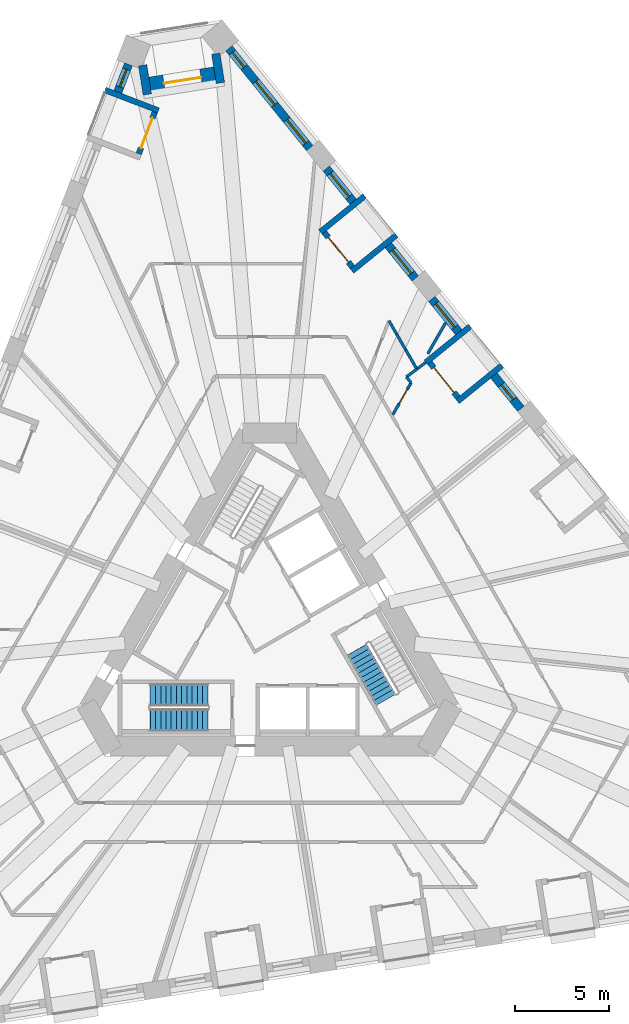
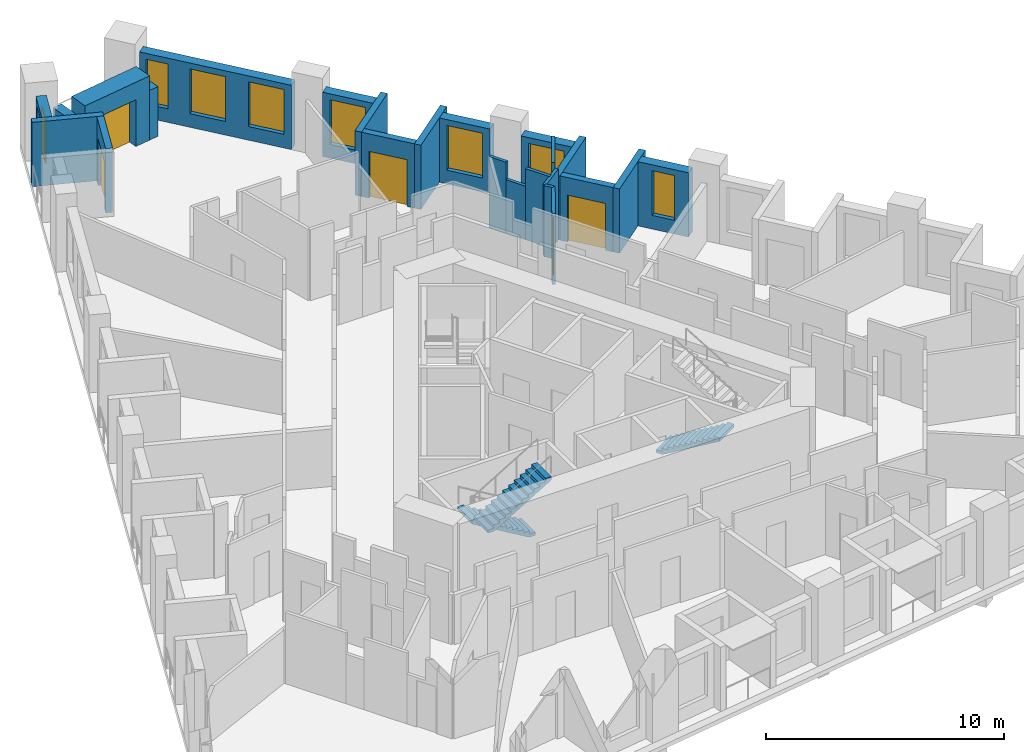
# One storey, part 9 of 14: 24 walls, 8 windows, 5 doors, 3 stair flights, 13 openings, 2 elements without a shape of their own.
"""IFC4 building model written with IfcOpenShell, lengths in metres."""

from ifc_helpers import new_model, si_unit, direction, frame, frame_2d, origin, place, context, subcontext, project, spatial, polyline, rectangle, outline, extrude, material, layer, layer_set, type_object, element, fill, aggregate, save


model = new_model("IFC4")

# Units and contexts
model_context = context("Model", 3, precision=1e-05, world=origin(), true_north=direction((0.0, 1.0)))
body_context = subcontext(model_context, "Body", "Model", "MODEL_VIEW")
ifc_project = project(units=[si_unit("LENGTHUNIT", "METRE"), si_unit("AREAUNIT", "SQUARE_METRE"), si_unit("VOLUMEUNIT", "CUBIC_METRE"), si_unit("PLANEANGLEUNIT", "RADIAN"), si_unit("MASSUNIT", "GRAM", prefix="KILO")], contexts=[model_context])

# Site, building, storey
site_placement = place(None, origin())
site = spatial("IfcSite", under=ifc_project, at=site_placement, CompositionType="ELEMENT")
building_placement = place(site_placement, origin())
building = spatial("IfcBuilding", under=site, at=building_placement, Name="Tramontana Tower", CompositionType="ELEMENT")
storey_placement = place(building_placement, frame((0.0, 0.0, 59.199951171875)))
storey = spatial("IfcBuildingStorey", under=building, at=storey_placement, Name="L12", CompositionType="ELEMENT", Elevation=59.199951171875)

# Wall, opening, window
ifc_material_1 = material(Name="Precast concrete 60 MPa", Category="concrete")
ifc_layer_1 = layer(ifc_material_1, 0.449951171875)
ifc_layer_set_1 = layer_set([ifc_layer_1], Name="Precast concrete 60 MPa, 450 mm")
wall_type_1 = type_object("IfcWallType", Name="EW1 Stone-faced precast wall 450", PredefinedType="SOLIDWALL", material=ifc_layer_set_1)
wall_1_placement = place(storey_placement, frame((-7.521728515625, 30.14453125, 0.0), z_axis=(0.0, 0.0, 1.0), x_axis=(-0.358431261356, -0.933556120907, 0.0)))
wall_1 = element("IfcWall", 1, at=wall_1_placement, inside=storey, type_object=wall_type_1, Name="External wall L12 face 0 bay 1", PredefinedType="SOLIDWALL", context=body_context, shape_type="SweptSolid", body=[
    extrude(rectangle(XDim=1.5830078125, YDim=0.449951171875, at=frame_2d((0.79150390625, 0.0))), origin(), (0.0, 0.0, 1.0), 3.300048828125),
])
opening_1_placement = place(wall_1_placement, frame((0.29150390625, 0.0, 0.699951171875)))
opening_1 = element("IfcOpeningElement", 2, at=opening_1_placement, cuts=wall_1, Name="Opening N1", PredefinedType="OPENING", context=body_context, shape_type="SweptSolid", body=[
    extrude(rectangle(XDim=1.0, YDim=2.300048828125, at=frame_2d((0.5, 1.14990234375))), frame((0.0, 0.23486328125, 0.0), z_axis=(0.0, -1.0, 0.0), x_axis=(1.0, 0.0, 0.0)), (0.0, 0.0, 1.0), 0.469970703125),
])
ifc_material_2 = material(Name="Aluminum frame, double glazing unit", Category="aluminium")
window_type_1 = type_object("IfcWindowType", Name="N1 Window 1 x 2.3", PartitioningType="SINGLE_PANEL", PredefinedType="WINDOW", material=ifc_material_2)
window_1_placement = place(opening_1_placement, origin())
window_1 = element("IfcWindow", 3, at=window_1_placement, inside=storey, type_object=window_type_1, Name="Window N1 L12 face 0 module 1", OverallHeight=2.300048828125, OverallWidth=1.0, PartitioningType="SINGLE_PANEL", PredefinedType="WINDOW", context=body_context, shape_type="SweptSolid", body=[
    extrude(rectangle(XDim=1.0, YDim=2.300048828125, at=frame_2d((0.5, 1.14990234375))), frame((0.0, 0.030029296875, 0.0), z_axis=(0.0, -1.0, 0.0), x_axis=(1.0, 0.0, 0.0)), (0.0, 0.0, 1.0), 0.06005859375),
])
fill(opening_1, window_1)

wall_2_placement = place(storey_placement, frame((13.412109375, 11.76171875, 0.0), z_axis=(0.0, 0.0, 1.0), x_axis=(-0.629339730135, 0.777130300576, 0.0)))
wall_2 = element("IfcWall", 4, at=wall_2_placement, inside=storey, type_object=wall_type_1, Name="External wall L12 face 2 bay 4", PredefinedType="SOLIDWALL", context=body_context, shape_type="SweptSolid", body=[
    extrude(rectangle(XDim=2.282958984375, YDim=0.449951171875, at=frame_2d((1.1416015625, 0.0))), origin(), (0.0, 0.0, 1.0), 3.300048828125),
])
opening_2_placement = place(wall_2_placement, frame((0.6416015625, 0.0, 0.699951171875)))
opening_2 = element("IfcOpeningElement", 5, at=opening_2_placement, cuts=wall_2, Name="Opening N1", PredefinedType="OPENING", context=body_context, shape_type="SweptSolid", body=[
    extrude(rectangle(XDim=1.0, YDim=2.300048828125, at=frame_2d((0.5, 1.14990234375))), frame((0.0, 0.23486328125, 0.0), z_axis=(0.0, -1.0, 0.0), x_axis=(1.0, 0.0, 0.0)), (0.0, 0.0, 1.0), 0.469970703125),
])
window_2_placement = place(opening_2_placement, origin())
window_2 = element("IfcWindow", 6, at=window_2_placement, inside=storey, type_object=window_type_1, Name="Window N1 L12 face 2 module 10", OverallHeight=2.300048828125, OverallWidth=1.0, PartitioningType="SINGLE_PANEL", PredefinedType="WINDOW", context=body_context, shape_type="SweptSolid", body=[
    extrude(rectangle(XDim=1.0, YDim=2.300048828125, at=frame_2d((0.5, 1.14990234375))), frame((0.0, 0.030029296875, 0.0), z_axis=(0.0, -1.0, 0.0), x_axis=(1.0, 0.0, 0.0)), (0.0, 0.0, 1.0), 0.06005859375),
])
fill(opening_2, window_2)

wall_3_placement = place(storey_placement, frame((10.09814453125, 15.85400390625, 0.0), z_axis=(0.0, 0.0, 1.0), x_axis=(-0.629339730135, 0.777130300576, 0.0)))
wall_3 = element("IfcWall", 7, at=wall_3_placement, inside=storey, type_object=wall_type_1, Name="External wall L12 face 2 bay 4", PredefinedType="SOLIDWALL", context=body_context, shape_type="SweptSolid", body=[
    extrude(rectangle(XDim=2.282958984375, YDim=0.449951171875, at=frame_2d((1.1416015625, 0.0))), origin(), (0.0, 0.0, 1.0), 3.300048828125),
])
opening_3_placement = place(wall_3_placement, frame((0.341552734375, 0.0, 0.699951171875)))
opening_3 = element("IfcOpeningElement", 8, at=opening_3_placement, cuts=wall_3, Name="Opening M1", PredefinedType="OPENING", context=body_context, shape_type="SweptSolid", body=[
    extrude(rectangle(XDim=1.60009765625, YDim=2.300048828125, at=frame_2d((0.800048828125, 1.14990234375))), frame((0.0, 0.23486328125, 0.0), z_axis=(0.0, -1.0, 0.0), x_axis=(1.0, 0.0, 0.0)), (0.0, 0.0, 1.0), 0.469970703125),
])
ifc_material_3 = material(Name="Aluminum frame, double glazing unit", Category="aluminium")
window_type_2 = type_object("IfcWindowType", Name="M1 Window 1.6 x 2.3", PartitioningType="SINGLE_PANEL", PredefinedType="WINDOW", material=ifc_material_3)
window_3_placement = place(opening_3_placement, origin())
window_3 = element("IfcWindow", 9, at=window_3_placement, inside=storey, type_object=window_type_2, Name="Window M1 L12 face 2 module 12", OverallHeight=2.300048828125, OverallWidth=1.60009765625, PartitioningType="SINGLE_PANEL", PredefinedType="WINDOW", context=body_context, shape_type="SweptSolid", body=[
    extrude(rectangle(XDim=1.60009765625, YDim=2.300048828125, at=frame_2d((0.800048828125, 1.14990234375))), frame((0.0, 0.030029296875, 0.0), z_axis=(0.0, -1.0, 0.0), x_axis=(1.0, 0.0, 0.0)), (0.0, 0.0, 1.0), 0.06005859375),
])
fill(opening_3, window_3)

wall_4_placement = place(storey_placement, frame((7.7802734375, 18.71630859375, 0.0), z_axis=(0.0, 0.0, 1.0), x_axis=(-0.629275139402, 0.777182603337, 0.0)))
wall_4 = element("IfcWall", 10, at=wall_4_placement, inside=storey, type_object=wall_type_1, Name="External wall L12 face 2 bay 5", PredefinedType="SOLIDWALL", context=body_context, shape_type="SweptSolid", body=[
    extrude(rectangle(XDim=2.28271484375, YDim=0.449951171875, at=frame_2d((1.141357421875, 0.0))), origin(), (0.0, 0.0, 1.0), 3.300048828125),
])
opening_4_placement = place(wall_4_placement, frame((0.341552734375, 0.0, 0.699951171875)))
opening_4 = element("IfcOpeningElement", 11, at=opening_4_placement, cuts=wall_4, Name="Opening M1", PredefinedType="OPENING", context=body_context, shape_type="SweptSolid", body=[
    extrude(rectangle(XDim=1.60009765625, YDim=2.300048828125, at=frame_2d((0.800048828125, 1.14990234375))), frame((0.0, 0.23486328125, 0.0), z_axis=(0.0, -1.0, 0.0), x_axis=(1.0, 0.0, 0.0)), (0.0, 0.0, 1.0), 0.469970703125),
])
window_4_placement = place(opening_4_placement, origin())
window_4 = element("IfcWindow", 12, at=window_4_placement, inside=storey, type_object=window_type_2, Name="Window M1 L12 face 2 module 13", OverallHeight=2.300048828125, OverallWidth=1.60009765625, PartitioningType="SINGLE_PANEL", PredefinedType="WINDOW", context=body_context, shape_type="SweptSolid", body=[
    extrude(rectangle(XDim=1.60009765625, YDim=2.300048828125, at=frame_2d((0.800048828125, 1.14990234375))), frame((0.0, 0.030029296875, 0.0), z_axis=(0.0, -1.0, 0.0), x_axis=(1.0, 0.0, 0.0)), (0.0, 0.0, 1.0), 0.06005859375),
])
fill(opening_4, window_4)

wall_5_placement = place(storey_placement, frame((4.46630859375, 22.80859375, 0.0), z_axis=(0.0, 0.0, 1.0), x_axis=(-0.629275139402, 0.777182603337, 0.0)))
wall_5 = element("IfcWall", 13, at=wall_5_placement, inside=storey, type_object=wall_type_1, Name="External wall L12 face 2 bay 5", PredefinedType="SOLIDWALL", context=body_context, shape_type="SweptSolid", body=[
    extrude(rectangle(XDim=2.28271484375, YDim=0.449951171875, at=frame_2d((1.141357421875, 0.0))), origin(), (0.0, 0.0, 1.0), 3.300048828125),
])
opening_5_placement = place(wall_5_placement, frame((0.341552734375, 0.0, 0.699951171875)))
opening_5 = element("IfcOpeningElement", 14, at=opening_5_placement, cuts=wall_5, Name="Opening M1", PredefinedType="OPENING", context=body_context, shape_type="SweptSolid", body=[
    extrude(rectangle(XDim=1.60009765625, YDim=2.300048828125, at=frame_2d((0.800048828125, 1.14990234375))), frame((0.0, 0.23486328125, 0.0), z_axis=(0.0, -1.0, 0.0), x_axis=(1.0, 0.0, 0.0)), (0.0, 0.0, 1.0), 0.469970703125),
])
window_5_placement = place(opening_5_placement, origin())
window_5 = element("IfcWindow", 15, at=window_5_placement, inside=storey, type_object=window_type_2, Name="Window M1 L12 face 2 module 15", OverallHeight=2.300048828125, OverallWidth=1.60009765625, PartitioningType="SINGLE_PANEL", PredefinedType="WINDOW", context=body_context, shape_type="SweptSolid", body=[
    extrude(rectangle(XDim=1.60009765625, YDim=2.300048828125, at=frame_2d((0.800048828125, 1.14990234375))), frame((0.0, 0.030029296875, 0.0), z_axis=(0.0, -1.0, 0.0), x_axis=(1.0, 0.0, 0.0)), (0.0, 0.0, 1.0), 0.06005859375),
])
fill(opening_5, window_5)

# Wall, openings, windows
wall_6_placement = place(storey_placement, frame((2.148681640625, 25.6708984375, 0.0), z_axis=(0.0, 0.0, 1.0), x_axis=(-0.629339730135, 0.777130300576, 0.0)))
wall_6 = element("IfcWall", 16, at=wall_6_placement, inside=storey, type_object=wall_type_1, Name="External wall L12 face 2 bay 6", PredefinedType="SOLIDWALL", context=body_context, shape_type="SweptSolid", body=[
    extrude(rectangle(XDim=6.848876953125, YDim=0.449951171875, at=frame_2d((3.42431640625, 0.0))), origin(), (0.0, 0.0, 1.0), 3.300048828125),
])
opening_6_placement = place(wall_6_placement, frame((0.341552734375, 0.0, 0.699951171875)))
opening_6 = element("IfcOpeningElement", 17, at=opening_6_placement, cuts=wall_6, Name="Opening M1", PredefinedType="OPENING", context=body_context, shape_type="SweptSolid", body=[
    extrude(rectangle(XDim=1.60009765625, YDim=2.300048828125, at=frame_2d((0.800048828125, 1.14990234375))), frame((0.0, 0.23486328125, 0.0), z_axis=(0.0, -1.0, 0.0), x_axis=(1.0, 0.0, 0.0)), (0.0, 0.0, 1.0), 0.469970703125),
])
opening_7_placement = place(wall_6_placement, frame((2.974365234375, 0.0, 0.699951171875)))
opening_7 = element("IfcOpeningElement", 18, at=opening_7_placement, cuts=wall_6, Name="Opening M1", PredefinedType="OPENING", context=body_context, shape_type="SweptSolid", body=[
    extrude(rectangle(XDim=1.60009765625, YDim=2.300048828125, at=frame_2d((0.800048828125, 1.14990234375))), frame((0.0, 0.23486328125, 0.0), z_axis=(0.0, -1.0, 0.0), x_axis=(1.0, 0.0, 0.0)), (0.0, 0.0, 1.0), 0.469970703125),
])
opening_8_placement = place(wall_6_placement, frame((5.557373046875, 0.0, 0.699951171875)))
opening_8 = element("IfcOpeningElement", 19, at=opening_8_placement, cuts=wall_6, Name="Opening N1", PredefinedType="OPENING", context=body_context, shape_type="SweptSolid", body=[
    extrude(rectangle(XDim=1.0, YDim=2.300048828125, at=frame_2d((0.5, 1.14990234375))), frame((0.0, 0.23486328125, 0.0), z_axis=(0.0, -1.0, 0.0), x_axis=(1.0, 0.0, 0.0)), (0.0, 0.0, 1.0), 0.469970703125),
])
window_6_placement = place(opening_6_placement, origin())
window_6 = element("IfcWindow", 20, at=window_6_placement, inside=storey, type_object=window_type_2, Name="Window M1 L12 face 2 module 16", OverallHeight=2.300048828125, OverallWidth=1.60009765625, PartitioningType="SINGLE_PANEL", PredefinedType="WINDOW", context=body_context, shape_type="SweptSolid", body=[
    extrude(rectangle(XDim=1.60009765625, YDim=2.300048828125, at=frame_2d((0.800048828125, 1.14990234375))), frame((0.0, 0.030029296875, 0.0), z_axis=(0.0, -1.0, 0.0), x_axis=(1.0, 0.0, 0.0)), (0.0, 0.0, 1.0), 0.06005859375),
])
fill(opening_6, window_6)
window_7_placement = place(opening_7_placement, origin())
window_7 = element("IfcWindow", 21, at=window_7_placement, inside=storey, type_object=window_type_2, Name="Window M1 L12 face 2 module 17", OverallHeight=2.300048828125, OverallWidth=1.60009765625, PartitioningType="SINGLE_PANEL", PredefinedType="WINDOW", context=body_context, shape_type="SweptSolid", body=[
    extrude(rectangle(XDim=1.60009765625, YDim=2.300048828125, at=frame_2d((0.800048828125, 1.14990234375))), frame((0.0, 0.030029296875, 0.0), z_axis=(0.0, -1.0, 0.0), x_axis=(1.0, 0.0, 0.0)), (0.0, 0.0, 1.0), 0.06005859375),
])
fill(opening_7, window_7)
window_8_placement = place(opening_8_placement, origin())
window_8 = element("IfcWindow", 22, at=window_8_placement, inside=storey, type_object=window_type_1, Name="Window N1 L12 face 2 module 18", OverallHeight=2.300048828125, OverallWidth=1.0, PartitioningType="SINGLE_PANEL", PredefinedType="WINDOW", context=body_context, shape_type="SweptSolid", body=[
    extrude(rectangle(XDim=1.0, YDim=2.300048828125, at=frame_2d((0.5, 1.14990234375))), frame((0.0, 0.030029296875, 0.0), z_axis=(0.0, -1.0, 0.0), x_axis=(1.0, 0.0, 0.0)), (0.0, 0.0, 1.0), 0.06005859375),
])
fill(opening_8, window_8)

# Walls
for number, where, z_axis, x_axis, name in (
    (23, (-6.765625, 30.09130859375, 0.0), (0.0, 0.0, 1.0), (0.156446802793, -0.987686386408, 0.0), "Corner loggia side wall L12 K10l"),
    (24, (-2.8642578125, 30.709228515625, 0.0), (0.0, 0.0, 1.0), (0.156446802793, -0.987686386408, 0.0), "Corner loggia side wall L12 K10r"),
):
    element("IfcWall", number, at=place(storey_placement, frame(where, z_axis=z_axis, x_axis=x_axis)), inside=storey, type_object=wall_type_1, Name=name, PredefinedType="SOLIDWALL", context=body_context, shape_type="SweptSolid", body=[
        extrude(rectangle(XDim=1.579345703125, YDim=0.449951171875, at=frame_2d((0.78955078125, 0.0))), origin(), (0.0, 0.0, 1.0), 2.550048828125),
    ])

# Wall, opening, door
ifc_material_4 = material(Name="Precast concrete 60 MPa", Category="concrete")
ifc_layer_2 = layer(ifc_material_4, 0.89990234375)
ifc_layer_set_2 = layer_set([ifc_layer_2], Name="EW2 Stone-faced corner loggia wall 900")
wall_type_2 = type_object("IfcWallType", Name="EW2 Stone-faced corner loggia wall 900", PredefinedType="SOLIDWALL", material=ifc_layer_set_2)
wall_7_placement = place(storey_placement, frame((-6.36669921875, 29.01123046875, 0.0), z_axis=(0.0, 0.0, 1.0), x_axis=(0.987683654859, 0.156464046744, 0.0)))
wall_7 = element("IfcWall", 25, at=wall_7_placement, inside=storey, type_object=wall_type_2, Name="Corner loggia wall L12 K10", PredefinedType="SOLIDWALL", context=body_context, shape_type="SweptSolid", body=[
    extrude(rectangle(XDim=3.5, YDim=0.89990234375, at=frame_2d((1.75, 0.0))), origin(), (0.0, 0.0, 1.0), 3.300048828125),
])
opening_9_placement = place(wall_7_placement, frame((0.75, 0.0, 0.0)))
opening_9 = element("IfcOpeningElement", 26, at=opening_9_placement, cuts=wall_7, Name="Opening BD-10C", PredefinedType="OPENING", context=body_context, shape_type="SweptSolid", body=[
    extrude(rectangle(XDim=2.0, YDim=2.39990234375, at=frame_2d((1.0, 1.199951171875))), frame((0.0, 0.4599609375, 0.0), z_axis=(0.0, -1.0, 0.0), x_axis=(1.0, 0.0, 0.0)), (0.0, 0.0, 1.0), 0.919921875),
])
ifc_material_5 = material(Name="Aluminum frame, double glazing unit", Category="aluminium")
door_type_1 = type_object("IfcDoorType", Name="BC1 Sliding door 2 x 2.4", OperationType="SLIDING_TO_LEFT", PredefinedType="DOOR", material=ifc_material_5)
door_1_placement = place(opening_9_placement, origin())
door_1 = element("IfcDoor", 27, at=door_1_placement, inside=storey, type_object=door_type_1, Name="Corner loggia door L12 K10", OperationType="SLIDING_TO_LEFT", OverallHeight=2.39990234375, OverallWidth=2.0, PredefinedType="DOOR", context=body_context, shape_type="SweptSolid", body=[
    extrude(rectangle(XDim=2.0, YDim=2.39990234375, at=frame_2d((1.0, 1.199951171875))), frame((0.0, 0.02490234375, 0.0), z_axis=(0.0, -1.0, 0.0), x_axis=(1.0, 0.0, 0.0)), (0.0, 0.0, 1.0), 0.050048828125),
])
fill(opening_9, door_1)

ifc_material_6 = material(Name="Precast concrete 60 MPa", Category="concrete")
ifc_layer_3 = layer(ifc_material_6, 0.300048828125)
ifc_layer_set_3 = layer_set([ifc_layer_3], Name="LW1 Stone-faced loggia wall 300")
wall_type_3 = type_object("IfcWallType", Name="LW1 Stone-faced loggia wall 300", PredefinedType="SOLIDWALL", material=ifc_layer_set_3)
wall_8_placement = place(storey_placement, frame((-6.119384765625, 27.58935546875, 0.0), z_axis=(0.0, 0.0, 1.0), x_axis=(-0.358354292693, -0.933585668757, 0.0)))
wall_8 = element("IfcWall", 28, at=wall_8_placement, inside=storey, type_object=wall_type_3, Name="Loggia wall L12 G1S0.1", PredefinedType="SOLIDWALL", context=body_context, shape_type="SweptSolid", body=[
    extrude(rectangle(XDim=2.383056640625, YDim=0.300048828125, at=frame_2d((1.19140625, 0.0))), origin(), (0.0, 0.0, 1.0), 3.300048828125),
])
opening_10_placement = place(wall_8_placement, frame((0.341552734375, 0.0, 0.0)))
opening_10 = element("IfcOpeningElement", 29, at=opening_10_placement, cuts=wall_8, Name="Opening BD-1S0-01", PredefinedType="OPENING", context=body_context, shape_type="SweptSolid", body=[
    extrude(rectangle(XDim=1.699951171875, YDim=2.39990234375, at=frame_2d((0.85009765625, 1.199951171875))), frame((0.0, 0.159912109375, 0.0), z_axis=(0.0, -1.0, 0.0), x_axis=(1.0, 0.0, 0.0)), (0.0, 0.0, 1.0), 0.320068359375),
])
ifc_material_7 = material(Name="Aluminum frame, double glazing unit", Category="aluminium")
door_type_2 = type_object("IfcDoorType", Name="BD1 Sliding door 1.7 x 2.4", OperationType="SLIDING_TO_LEFT", PredefinedType="DOOR", material=ifc_material_7)
door_2_placement = place(opening_10_placement, origin())
door_2 = element("IfcDoor", 30, at=door_2_placement, inside=storey, type_object=door_type_2, Name="Loggia door L12 G1S0.1", OperationType="SLIDING_TO_LEFT", OverallHeight=2.39990234375, OverallWidth=1.699951171875, PredefinedType="DOOR", context=body_context, shape_type="SweptSolid", body=[
    extrude(rectangle(XDim=1.699951171875, YDim=2.39990234375, at=frame_2d((0.85009765625, 1.199951171875))), frame((0.0, 0.02490234375, 0.0), z_axis=(0.0, -1.0, 0.0), x_axis=(1.0, 0.0, 0.0)), (0.0, 0.0, 1.0), 0.050048828125),
])
fill(opening_10, door_2)

# Wall
wall_9_placement = place(storey_placement, frame((-8.77294921875, 28.7685546875, 0.0), z_axis=(0.0, 0.0, 1.0), x_axis=(0.933580593625, -0.358367514161, 0.0)))
element("IfcWall", 31, at=wall_9_placement, inside=storey, type_object=wall_type_3, Name="Loggia return L12 G1S0.1a", PredefinedType="SOLIDWALL", context=body_context, shape_type="SweptSolid", body=[
    extrude(rectangle(XDim=3.050048828125, YDim=0.300048828125, at=frame_2d((1.52490234375, 0.0))), origin(), (0.0, 0.0, 1.0), 3.300048828125),
])

# Wall, opening, door
wall_10_placement = place(storey_placement, frame((10.057373046875, 12.36865234375, 0.0), z_axis=(0.0, 0.0, 1.0), x_axis=(-0.629257171563, 0.777197151331, 0.0)))
wall_10 = element("IfcWall", 32, at=wall_10_placement, inside=storey, type_object=wall_type_3, Name="Loggia wall L12 G1S2.10", PredefinedType="SOLIDWALL", context=body_context, shape_type="SweptSolid", body=[
    extrude(rectangle(XDim=2.383056640625, YDim=0.300048828125, at=frame_2d((1.19140625, 0.0))), origin(), (0.0, 0.0, 1.0), 3.300048828125),
])
opening_11_placement = place(wall_10_placement, frame((0.341552734375, 0.0, 0.0)))
opening_11 = element("IfcOpeningElement", 33, at=opening_11_placement, cuts=wall_10, Name="Opening BD-1S2-10", PredefinedType="OPENING", context=body_context, shape_type="SweptSolid", body=[
    extrude(rectangle(XDim=1.699951171875, YDim=2.39990234375, at=frame_2d((0.85009765625, 1.199951171875))), frame((0.0, 0.159912109375, 0.0), z_axis=(0.0, -1.0, 0.0), x_axis=(1.0, 0.0, 0.0)), (0.0, 0.0, 1.0), 0.320068359375),
])
door_3_placement = place(opening_11_placement, origin())
door_3 = element("IfcDoor", 34, at=door_3_placement, inside=storey, type_object=door_type_2, Name="Loggia door L12 G1S2.10", OperationType="SLIDING_TO_LEFT", OverallHeight=2.39990234375, OverallWidth=1.699951171875, PredefinedType="DOOR", context=body_context, shape_type="SweptSolid", body=[
    extrude(rectangle(XDim=1.699951171875, YDim=2.39990234375, at=frame_2d((0.85009765625, 1.199951171875))), frame((0.0, 0.02490234375, 0.0), z_axis=(0.0, -1.0, 0.0), x_axis=(1.0, 0.0, 0.0)), (0.0, 0.0, 1.0), 0.050048828125),
])
fill(opening_11, door_3)

# Walls
wall_11_placement = place(storey_placement, frame((12.405517578125, 14.0771484375, 0.0), z_axis=(0.0, 0.0, 1.0), x_axis=(-0.777153523895, -0.629311052102, 0.0)))
element("IfcWall", 35, at=wall_11_placement, inside=storey, type_object=wall_type_3, Name="Loggia return L12 G1S2.10a", PredefinedType="SOLIDWALL", context=body_context, shape_type="SweptSolid", body=[
    extrude(rectangle(XDim=3.050048828125, YDim=0.300048828125, at=frame_2d((1.52490234375, 0.0))), origin(), (0.0, 0.0, 1.0), 3.300048828125),
])
wall_12_placement = place(storey_placement, frame((10.717041015625, 16.162353515625, 0.0), z_axis=(0.0, 0.0, 1.0), x_axis=(-0.777121820661, -0.629350201281, 0.0)))
element("IfcWall", 36, at=wall_12_placement, inside=storey, type_object=wall_type_3, Name="Loggia return L12 G1S2.10b", PredefinedType="SOLIDWALL", context=body_context, shape_type="SweptSolid", body=[
    extrude(rectangle(XDim=3.0498046875, YDim=0.300048828125, at=frame_2d((1.52490234375, 0.0))), origin(), (0.0, 0.0, 1.0), 3.300048828125),
])

# Wall, opening, door
wall_13_placement = place(storey_placement, frame((4.42578125, 19.323486328125, 0.0), z_axis=(0.0, 0.0, 1.0), x_axis=(-0.629369155682, 0.777106470103, 0.0)))
wall_13 = element("IfcWall", 37, at=wall_13_placement, inside=storey, type_object=wall_type_3, Name="Loggia wall L12 G1S2.13", PredefinedType="SOLIDWALL", context=body_context, shape_type="SweptSolid", body=[
    extrude(rectangle(XDim=2.383056640625, YDim=0.300048828125, at=frame_2d((1.19140625, 0.0))), origin(), (0.0, 0.0, 1.0), 3.300048828125),
])
opening_12_placement = place(wall_13_placement, frame((0.341552734375, 0.0, 0.0)))
opening_12 = element("IfcOpeningElement", 38, at=opening_12_placement, cuts=wall_13, Name="Opening BD-1S2-13", PredefinedType="OPENING", context=body_context, shape_type="SweptSolid", body=[
    extrude(rectangle(XDim=1.699951171875, YDim=2.39990234375, at=frame_2d((0.85009765625, 1.199951171875))), frame((0.0, 0.159912109375, 0.0), z_axis=(0.0, -1.0, 0.0), x_axis=(1.0, 0.0, 0.0)), (0.0, 0.0, 1.0), 0.320068359375),
])
door_4_placement = place(opening_12_placement, origin())
door_4 = element("IfcDoor", 39, at=door_4_placement, inside=storey, type_object=door_type_2, Name="Loggia door L12 G1S2.13", OperationType="SLIDING_TO_LEFT", OverallHeight=2.39990234375, OverallWidth=1.699951171875, PredefinedType="DOOR", context=body_context, shape_type="SweptSolid", body=[
    extrude(rectangle(XDim=1.699951171875, YDim=2.39990234375, at=frame_2d((0.85009765625, 1.199951171875))), frame((0.0, 0.02490234375, 0.0), z_axis=(0.0, -1.0, 0.0), x_axis=(1.0, 0.0, 0.0)), (0.0, 0.0, 1.0), 0.050048828125),
])
fill(opening_12, door_4)

# Walls
for number, where, z_axis, x_axis, name in (
    (40, (6.77392578125, 21.03173828125, 0.0), (0.0, 0.0, 1.0), (-0.777153523895, -0.629311052102, 0.0), "Loggia return L12 G1S2.13a"),
    (41, (5.08544921875, 23.116943359375, 0.0), (0.0, 0.0, 1.0), (-0.777153523895, -0.629311052102, 0.0), "Loggia return L12 G1S2.13b"),
):
    element("IfcWall", number, at=place(storey_placement, frame(where, z_axis=z_axis, x_axis=x_axis)), inside=storey, type_object=wall_type_3, Name=name, PredefinedType="SOLIDWALL", context=body_context, shape_type="SweptSolid", body=[
        extrude(rectangle(XDim=3.050048828125, YDim=0.300048828125, at=frame_2d((1.52490234375, 0.0))), origin(), (0.0, 0.0, 1.0), 3.300048828125),
    ])
ifc_material_8 = material(Name="Gypsum board partition")
ifc_layer_4 = layer(ifc_material_8, 0.14990234375)
ifc_layer_set_4 = layer_set([ifc_layer_4], Name="PARTITION 150")
wall_type_4 = type_object("IfcWallType", Name="PARTITION 150", PredefinedType="PARTITIONING", material=ifc_layer_set_4)
wall_14_placement = place(storey_placement, frame((6.37646484375, 16.455322265625, 0.0), z_axis=(0.0, 0.0, 1.0), x_axis=(0.500080620599, -0.865978852456, 0.0)))
element("IfcWall", 42, at=wall_14_placement, inside=storey, type_object=wall_type_4, Name="Wall v10-pw25-0", PredefinedType="PARTITIONING", context=body_context, shape_type="SweptSolid", body=[
    extrude(rectangle(XDim=0.825927734375, YDim=0.14990234375, at=frame_2d((0.4130859375, 0.0))), origin(), (0.0, 0.0, 1.0), 3.650146484375),
])
wall_15_placement = place(storey_placement, frame((6.78955078125, 15.739990234375, 0.0), z_axis=(0.0, 0.0, 1.0), x_axis=(0.500144919923, -0.865941718059, 0.0)))
element("IfcWall", 43, at=wall_15_placement, inside=storey, type_object=wall_type_4, Name="Wall v10-pw25-1", PredefinedType="PARTITIONING", context=body_context, shape_type="SweptSolid", body=[
    extrude(rectangle(XDim=0.950439453125, YDim=0.14990234375, at=frame_2d((0.47509765625, 0.0))), origin(), (0.0, 0.0, 1.0), 2.75),
])
wall_16_placement = place(storey_placement, frame((7.264892578125, 14.9169921875, 0.0), z_axis=(0.0, 0.0, 1.0), x_axis=(0.49995746443, -0.866049960314, 0.0)))
element("IfcWall", 44, at=wall_16_placement, inside=storey, type_object=wall_type_4, Name="Wall v10-pw25-2", PredefinedType="PARTITIONING", context=body_context, shape_type="SweptSolid", body=[
    extrude(rectangle(XDim=1.1689453125, YDim=0.14990234375, at=frame_2d((0.58447265625, 0.0))), origin(), (0.0, 0.0, 1.0), 3.650146484375),
])
wall_17_placement = place(storey_placement, frame((7.30615234375, 13.4619140625, 0.0), z_axis=(0.0, 0.0, 1.0), x_axis=(0.629373821477, -0.777102691309, 0.0)))
element("IfcWall", 45, at=wall_17_placement, inside=storey, type_object=wall_type_4, Name="Wall v10-pw26", PredefinedType="PARTITIONING", context=body_context, shape_type="SweptSolid", body=[
    extrude(rectangle(XDim=0.39990234375, YDim=0.14990234375, at=frame_2d((0.199951171875, 0.0))), origin(), (0.0, 0.0, 1.0), 3.650146484375),
])

# Wall, opening, door
wall_18_placement = place(storey_placement, frame((6.5810546875, 11.451416015625, 0.0), z_axis=(0.0, 0.0, 1.0), x_axis=(0.498323693161, 0.866991059259, 0.0)))
wall_18 = element("IfcWall", 46, at=wall_18_placement, inside=storey, type_object=wall_type_4, Name="Wall v10-pw27", PredefinedType="PARTITIONING", context=body_context, shape_type="SweptSolid", body=[
    extrude(rectangle(XDim=1.960205078125, YDim=0.14990234375, at=frame_2d((0.97998046875, 0.0))), origin(), (0.0, 0.0, 1.0), 3.650146484375),
])
opening_13_placement = place(wall_18_placement, frame((0.6904296875, 0.0, 0.0)))
opening_13 = element("IfcOpeningElement", 47, at=opening_13_placement, cuts=wall_18, Name="Opening B1A-09", PredefinedType="OPENING", context=body_context, shape_type="SweptSolid", body=[
    extrude(rectangle(XDim=0.85009765625, YDim=2.39990234375, at=frame_2d((0.425048828125, 1.199951171875))), frame((0.0, 0.0849609375, 0.0), z_axis=(0.0, -1.0, 0.0), x_axis=(1.0, 0.0, 0.0)), (0.0, 0.0, 1.0), 0.169921875),
])
ifc_material_9 = material(Name="Painted timber", Category="wood")
door_type_3 = type_object("IfcDoorType", Name="DOOR BATH 850", OperationType="SINGLE_SWING_LEFT", PredefinedType="DOOR", material=ifc_material_9)
door_5_placement = place(opening_13_placement, origin())
door_5 = element("IfcDoor", 48, at=door_5_placement, inside=storey, type_object=door_type_3, Name="Door B1A-09", OperationType="SINGLE_SWING_LEFT", OverallHeight=2.39990234375, OverallWidth=0.85009765625, PredefinedType="DOOR", context=body_context, shape_type="SweptSolid", body=[
    extrude(rectangle(XDim=0.85009765625, YDim=2.39990234375, at=frame_2d((0.425048828125, 1.199951171875))), frame((0.0, 0.02490234375, 0.0), z_axis=(0.0, -1.0, 0.0), x_axis=(1.0, 0.0, 0.0)), (0.0, 0.0, 1.0), 0.050048828125),
])
fill(opening_13, door_5)

# Walls
wall_19_placement = place(storey_placement, frame((8.346923828125, 14.242919921875, 0.0), z_axis=(0.0, 0.0, 1.0), x_axis=(-0.800856036298, -0.598856918742, 0.0)))
element("IfcWall", 49, at=wall_19_placement, inside=storey, type_object=wall_type_4, Name="Wall v10-pw31", PredefinedType="PARTITIONING", context=body_context, shape_type="SweptSolid", body=[
    extrude(rectangle(XDim=1.29931640625, YDim=0.14990234375, at=frame_2d((0.649658203125, 0.0))), origin(), (0.0, 0.0, 1.0), 3.650146484375),
])
wall_20_placement = place(storey_placement, frame((9.40087890625, 16.357666015625, 0.0), z_axis=(0.0, 0.0, 1.0), x_axis=(-0.498291581793, -0.867009515239, 0.0)))
element("IfcWall", 50, at=wall_20_placement, inside=storey, type_object=wall_type_4, Name="Wall v10-pw33", PredefinedType="PARTITIONING", context=body_context, shape_type="SweptSolid", body=[
    extrude(rectangle(XDim=1.916259765625, YDim=0.14990234375, at=frame_2d((0.9580078125, 0.0))), origin(), (0.0, 0.0, 1.0), 3.650146484375),
])

# Stair, stair flights
ifc_material_10 = material(Name="Concrete 40 MPa", Category="concrete")
stair_type = type_object("IfcStairType", Name="EXIT STAIR 24 RISERS", PredefinedType="HALF_TURN_STAIR", material=ifc_material_10)
stair_1_placement = place(storey_placement, origin())
stair_1 = element("IfcStair", 51, at=stair_1_placement, inside=storey, type_object=stair_type, Name="L12 Exit stair ST2", PredefinedType="HALF_TURN_STAIR")
ifc_material_11 = material(Name="Concrete 40 MPa", Category="concrete")
ifc_layer_5 = layer(ifc_material_11, 0.14990234375)
ifc_layer_set_5 = layer_set([ifc_layer_5], Name="EXIT STAIR FLIGHT")
stair_flight_type = type_object("IfcStairFlightType", Name="EXIT STAIR FLIGHT", PredefinedType="STRAIGHT", material=ifc_layer_set_5)
stair_flight_1_placement = place(storey_placement, frame((-3.280029296875, -3.5, 0.0), z_axis=(0.0, 0.0, 1.0), x_axis=(-1.0, 0.0, 0.0)))
stair_flight_1 = element("IfcStairFlight", 52, at=stair_flight_1_placement, type_object=stair_flight_type, Name="ST2 flight 1", NumberOfRisers=12, NumberOfTreads=11, PredefinedType="STRAIGHT", RiserHeight=0.166666667, TreadLength=0.28, context=body_context, shape_type="SweptSolid", body=[
    extrude(outline(polyline([(-0.006103515625, 0.0), (-0.006103515625, 0.0400390625), (0.0, 0.0400390625), (0.0, 0.166748046875), (0.280029296875, 0.166748046875), (0.280029296875, 0.333251953125), (0.56005859375, 0.333251953125), (0.56005859375, 0.5), (0.840087890625, 0.5), (0.840087890625, 0.666748046875), (1.1201171875, 0.666748046875), (1.1201171875, 0.833251953125), (1.39990234375, 0.833251953125), (1.39990234375, 1.0), (1.679931640625, 1.0), (1.679931640625, 1.166748046875), (1.9599609375, 1.166748046875), (1.9599609375, 1.333251953125), (2.239990234375, 1.333251953125), (2.239990234375, 1.5), (2.52001953125, 1.5), (2.52001953125, 1.666748046875), (2.800048828125, 1.666748046875), (2.800048828125, 1.833251953125), (3.080078125, 1.833251953125), (3.0859375, 1.833251953125), (3.0859375, 1.658935546875), (0.299072265625, 0.0), (-0.006103515625, 0.0)])), frame((0.0, 0.60009765625, 0.0), z_axis=(0.0, -1.0, 0.0), x_axis=(1.0, 0.0, 0.0)), (0.0, 0.0, 1.0), 1.199951171875),
])
stair_flight_2_placement = place(storey_placement, frame((-6.360107421875, -4.85009765625, 2.0), z_axis=(0.0, 0.0, 1.0), x_axis=(1.0, 0.0, 0.0)))
stair_flight_2 = element("IfcStairFlight", 53, at=stair_flight_2_placement, type_object=stair_flight_type, Name="ST2 flight 2", NumberOfRisers=12, NumberOfTreads=11, PredefinedType="STRAIGHT", RiserHeight=0.166666667, TreadLength=0.28, context=body_context, shape_type="SweptSolid", body=[
    extrude(outline(polyline([(-0.006103515625, 0.0), (-0.006103515625, 0.0400390625), (0.0, 0.0400390625), (0.0, 0.166748046875), (0.280029296875, 0.166748046875), (0.280029296875, 0.333251953125), (0.56005859375, 0.333251953125), (0.56005859375, 0.5), (0.840087890625, 0.5), (0.840087890625, 0.666748046875), (1.1201171875, 0.666748046875), (1.1201171875, 0.833251953125), (1.39990234375, 0.833251953125), (1.39990234375, 1.0), (1.679931640625, 1.0), (1.679931640625, 1.166748046875), (1.9599609375, 1.166748046875), (1.9599609375, 1.333251953125), (2.239990234375, 1.333251953125), (2.239990234375, 1.5), (2.52001953125, 1.5), (2.52001953125, 1.666748046875), (2.800048828125, 1.666748046875), (2.800048828125, 1.833251953125), (3.080078125, 1.833251953125), (3.0859375, 1.833251953125), (3.0859375, 1.658935546875), (0.299072265625, 0.0), (-0.006103515625, 0.0)])), frame((0.0, 0.60009765625, 0.0), z_axis=(0.0, -1.0, 0.0), x_axis=(1.0, 0.0, 0.0)), (0.0, 0.0, 1.0), 1.199951171875),
])
aggregate(stair_1, [stair_flight_1, stair_flight_2])

# Stair, stair flight
stair_2_placement = place(storey_placement, origin())
stair_2 = element("IfcStair", 54, at=stair_2_placement, inside=storey, type_object=stair_type, Name="L12 Exit stair ST3", PredefinedType="HALF_TURN_STAIR")
stair_flight_3_placement = place(storey_placement, frame((4.671142578125, -1.090576171875, 0.0), z_axis=(0.0, 0.0, 1.0), x_axis=(0.5, -0.866025403784, 0.0)))
stair_flight_3 = element("IfcStairFlight", 55, at=stair_flight_3_placement, type_object=stair_flight_type, Name="ST3 flight 1", NumberOfRisers=12, NumberOfTreads=11, PredefinedType="STRAIGHT", RiserHeight=0.166666667, TreadLength=0.28, context=body_context, shape_type="SweptSolid", body=[
    extrude(outline(polyline([(-0.006103515625, 0.0), (-0.006103515625, 0.0400390625), (0.0, 0.0400390625), (0.0, 0.166748046875), (0.280029296875, 0.166748046875), (0.280029296875, 0.333251953125), (0.56005859375, 0.333251953125), (0.56005859375, 0.5), (0.840087890625, 0.5), (0.840087890625, 0.666748046875), (1.1201171875, 0.666748046875), (1.1201171875, 0.833251953125), (1.39990234375, 0.833251953125), (1.39990234375, 1.0), (1.679931640625, 1.0), (1.679931640625, 1.166748046875), (1.9599609375, 1.166748046875), (1.9599609375, 1.333251953125), (2.239990234375, 1.333251953125), (2.239990234375, 1.5), (2.52001953125, 1.5), (2.52001953125, 1.666748046875), (2.800048828125, 1.666748046875), (2.800048828125, 1.833251953125), (3.080078125, 1.833251953125), (3.0859375, 1.833251953125), (3.0859375, 1.658935546875), (0.299072265625, 0.0), (-0.006103515625, 0.0)])), frame((0.0, 0.60009765625, 0.0), z_axis=(0.0, -1.0, 0.0), x_axis=(1.0, 0.0, 0.0)), (0.0, 0.0, 1.0), 1.199951171875),
])
aggregate(stair_2, [stair_flight_3])

save(model, "model.ifc")
